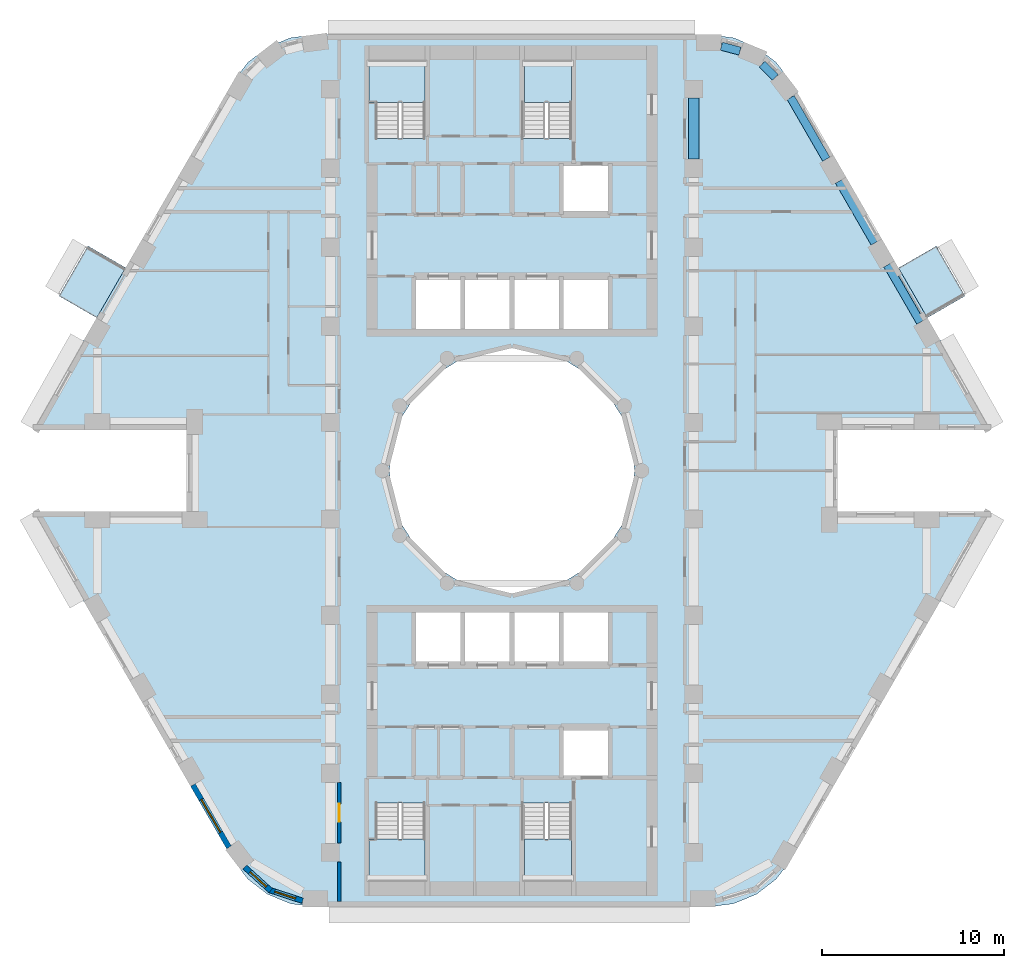
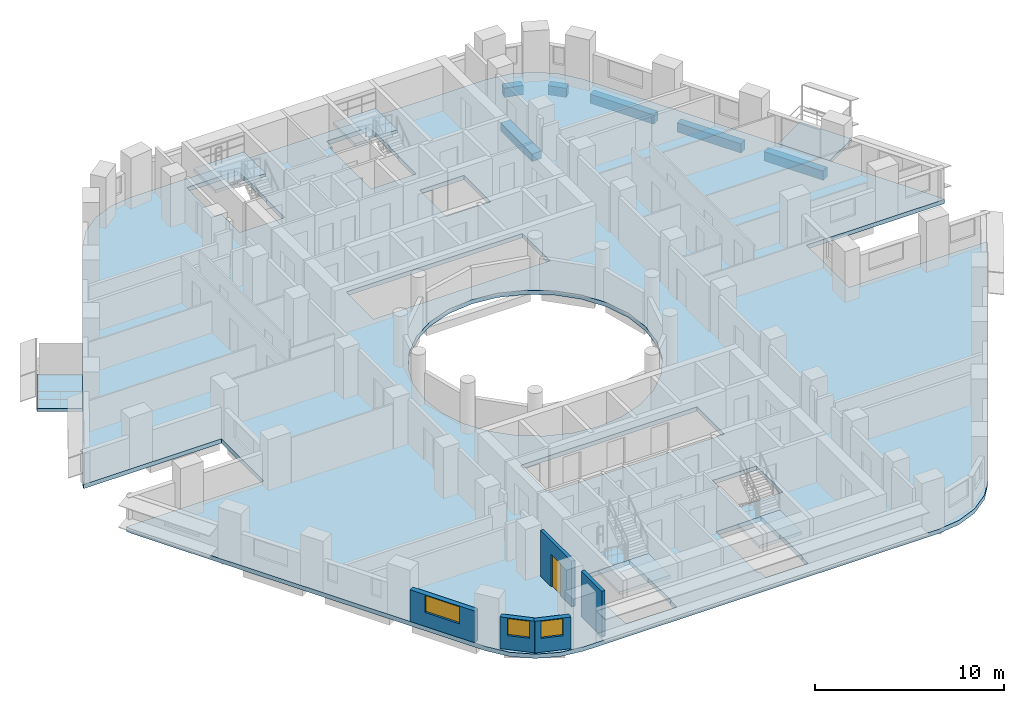
# One storey, part 2 of 14: 7 slabs, 6 beams, 5 walls, 3 windows, 1 door, 4 openings, 4 elements without a shape of their own.
"""IFC4 building model written with IfcOpenShell, lengths in metres."""

from ifc_helpers import new_model, si_unit, direction, frame, frame_2d, origin, origin_2d, place, context, subcontext, project, spatial, polyline, rectangle, outline, extrude, material, layer, layer_set, material_profile, profile_set, type_object, element, fill, aggregate, save


model = new_model("IFC4")

# Units and contexts
model_context = context("Model", 3, precision=1e-05, world=origin(), true_north=direction((0.0, 1.0)))
body_context = subcontext(model_context, "Body", "Model", "MODEL_VIEW")
ifc_project = project(units=[si_unit("LENGTHUNIT", "METRE"), si_unit("AREAUNIT", "SQUARE_METRE"), si_unit("VOLUMEUNIT", "CUBIC_METRE"), si_unit("PLANEANGLEUNIT", "RADIAN"), si_unit("MASSUNIT", "GRAM", prefix="KILO")], contexts=[model_context])

# Site, building, storey
site_placement = place(None, origin())
site = spatial("IfcSite", under=ifc_project, at=site_placement, CompositionType="ELEMENT")
building_placement = place(site_placement, origin())
building = spatial("IfcBuilding", under=site, at=building_placement, Name="Nakaniwa Court", CompositionType="ELEMENT")
storey_placement = place(building_placement, frame((0.0, 0.0, 117.300048828125)))
storey = spatial("IfcBuildingStorey", under=building, at=storey_placement, Name="L31", CompositionType="ELEMENT", Elevation=117.300048828125)

# Beams
ifc_material_1 = material(Name="Concrete C80/100", Category="concrete")
ifc_material_profile_1 = material_profile(ifc_material_1, rectangle(XDim=0.449951171875, YDim=0.60009765625, at=origin_2d()), Name="Concrete C80/100 RC 450x600 spandrel beam")
ifc_profile_set_1 = profile_set([ifc_material_profile_1], Name="Concrete C80/100")
beam_type_1 = type_object("IfcBeamType", Name="Concrete C80/100 RC 450x600 spandrel beam", PredefinedType="BEAM", material=ifc_profile_set_1)
beam_1_placement = place(storey_placement, frame((102.472900390625, 88.17578125, -0.574951171875), z_axis=(-0.499988394233, 0.866032104273, 0.0), x_axis=(-0.866032104273, -0.499988394233, 0.0)))
element("IfcBeam", 1, at=beam_1_placement, inside=storey, type_object=beam_type_1, Name="SPANDREL BEAM", PredefinedType="BEAM", context=body_context, shape_type="SweptSolid", body=[
    extrude(rectangle(XDim=0.449951171875, YDim=0.60009765625, at=origin_2d()), origin(), (0.0, 0.0, 1.0), 3.62890625),
])
beam_2_placement = place(storey_placement, frame((99.95849609375, 92.531005859375, -0.574951171875), z_axis=(-0.49999161165, 0.866030246746, 0.0), x_axis=(-0.866030246746, -0.49999161165, 0.0)))
element("IfcBeam", 2, at=beam_2_placement, inside=storey, type_object=beam_type_1, Name="SPANDREL BEAM", PredefinedType="BEAM", context=body_context, shape_type="SweptSolid", body=[
    extrude(rectangle(XDim=0.449951171875, YDim=0.60009765625, at=origin_2d()), origin(), (0.0, 0.0, 1.0), 3.92578125),
])
beam_3_placement = place(storey_placement, frame((97.29541015625, 97.143310546875, -0.574951171875), z_axis=(-0.499997407846, 0.86602690036, 0.0), x_axis=(-0.86602690036, -0.499997407846, 0.0)))
element("IfcBeam", 3, at=beam_3_placement, inside=storey, type_object=beam_type_1, Name="SPANDREL BEAM", PredefinedType="BEAM", context=body_context, shape_type="SweptSolid", body=[
    extrude(rectangle(XDim=0.449951171875, YDim=0.60009765625, at=origin_2d()), origin(), (0.0, 0.0, 1.0), 3.919921875),
])
beam_4_placement = place(storey_placement, frame((94.484130859375, 101.6494140625, -0.574951171875), z_axis=(-0.705911336947, 0.7083002078, 0.0), x_axis=(-0.7083002078, -0.705911336947, 0.0)))
element("IfcBeam", 4, at=beam_4_placement, inside=storey, type_object=beam_type_1, Name="SPANDREL BEAM", PredefinedType="BEAM", context=body_context, shape_type="SweptSolid", body=[
    extrude(rectangle(XDim=0.449951171875, YDim=0.60009765625, at=origin_2d()), origin(), (0.0, 0.0, 1.0), 1.02197265625),
])
beam_5_placement = place(storey_placement, frame((92.544921875, 103.091796875, -0.574951171875), z_axis=(-0.966315487466, 0.257360406209, 0.0), x_axis=(-0.257360406209, -0.966315487466, 0.0)))
element("IfcBeam", 5, at=beam_5_placement, inside=storey, type_object=beam_type_1, Name="SPANDREL BEAM", PredefinedType="BEAM", context=body_context, shape_type="SweptSolid", body=[
    extrude(rectangle(XDim=0.449951171875, YDim=0.60009765625, at=origin_2d()), origin(), (0.0, 0.0, 1.0), 1.055908203125),
])
ifc_material_profile_2 = material_profile(ifc_material_1, rectangle(XDim=0.60009765625, YDim=0.5, at=origin_2d()), Name="Concrete C80/100 RC 600x500 ring beam")
ifc_profile_set_2 = profile_set([ifc_material_profile_2], Name="Concrete C80/100")
beam_type_2 = type_object("IfcBeamType", Name="Concrete C80/100 RC 600x500 ring beam", PredefinedType="BEAM", material=ifc_profile_set_2)
beam_6_placement = place(storey_placement, frame((90.0, 97.14990234375, -0.525146484375), z_axis=(0.0, 1.0, 0.0), x_axis=(-1.0, 0.0, 0.0)))
element("IfcBeam", 6, at=beam_6_placement, inside=storey, type_object=beam_type_2, Name="RING BEAM", PredefinedType="BEAM", context=body_context, shape_type="SweptSolid", body=[
    extrude(rectangle(XDim=0.60009765625, YDim=0.5, at=origin_2d()), origin(), (0.0, 0.0, 1.0), 3.35009765625),
])

# Slabs
ifc_material_2 = material(Name="Charcoal ceramic paver")
ifc_layer_1 = layer(ifc_material_2, 0.02, Name="Ceramic paver")
ifc_material_3 = material(Name="Cement sand screed")
ifc_layer_2 = layer(ifc_material_3, 0.03, Name="Falls screed")
ifc_material_4 = material(Name="Concrete C40/50", Category="concrete")
ifc_layer_3 = layer(ifc_material_4, 0.15, Name="Balcony slab")
ifc_layer_set_1 = layer_set([ifc_layer_1, ifc_layer_2, ifc_layer_3], Name="Concrete C40/50 balcony slab with ceramic paver finish")
slab_type_1 = type_object("IfcSlabType", Name="Balcony slab 200", PredefinedType="FLOOR", material=ifc_layer_set_1)
slab_1_placement = place(storey_placement, frame((0.0, 0.0, -0.25)))
element("IfcSlab", 7, at=slab_1_placement, inside=storey, type_object=slab_type_1, Name="L31 balcony 01", PredefinedType="FLOOR", context=body_context, shape_type="SweptSolid", body=[
    extrude(outline(polyline([(58.73779296875, 91.1728515625), (57.1474609375, 88.418212890625), (55.069091796875, 89.6181640625), (56.659423828125, 92.372802734375), (58.73779296875, 91.1728515625)])), origin(), (0.0, 0.0, 1.0), 0.199951171875),
])
slab_2_placement = place(storey_placement, frame((0.0, 0.0, -0.25)))
element("IfcSlab", 8, at=slab_2_placement, inside=storey, type_object=slab_type_1, Name="L31 balcony 02", PredefinedType="FLOOR", context=body_context, shape_type="SweptSolid", body=[
    extrude(outline(polyline([(102.8525390625, 88.418212890625), (101.26953125, 91.159912109375), (103.347900390625, 92.360107421875), (104.930908203125, 89.6181640625), (102.8525390625, 88.418212890625)])), origin(), (0.0, 0.0, 1.0), 0.199951171875),
])
ifc_layer_4 = layer(ifc_material_1, 0.27490234375)
ifc_layer_set_2 = layer_set([ifc_layer_4], Name="Concrete C80/100")
slab_type_2 = type_object("IfcSlabType", Name="Concrete C80/100 post tensioned floor slab 275", PredefinedType="FLOOR", material=ifc_layer_set_2)
slab_3_placement = place(storey_placement, frame((0.0, 0.0, -0.275146484375)))
element("IfcSlab", 9, at=slab_3_placement, inside=storey, type_object=slab_type_2, Name="FLOOR SLAB", PredefinedType="FLOOR", context=body_context, shape_type="SweptSolid", body=[
    extrude(outline(polyline([(97.908447265625, 82.25), (106.356689453125, 82.25), (106.211669921875, 82.60009765625), (95.357421875, 101.39990234375), (94.531005859375, 102.47705078125), (93.4541015625, 103.30322265625), (92.199951171875, 103.82275390625), (90.854248046875, 104.0), (69.145751953125, 104.0), (67.800048828125, 103.82275390625), (66.5458984375, 103.30322265625), (65.468994140625, 102.47705078125), (64.642578125, 101.39990234375), (53.788330078125, 82.60009765625), (53.643310546875, 82.25), (62.091552734375, 82.25), (62.091552734375, 77.75), (53.643310546875, 77.75), (53.788330078125, 77.39990234375), (64.642578125, 58.60009765625), (65.468994140625, 57.52294921875), (66.5458984375, 56.69677734375), (67.800048828125, 56.17724609375), (69.145751953125, 56.0), (90.854248046875, 56.0), (92.199951171875, 56.17724609375), (93.4541015625, 56.69677734375), (94.531005859375, 57.52294921875), (95.357421875, 58.60009765625), (106.211669921875, 77.39990234375), (106.356689453125, 77.75), (97.908447265625, 77.75), (97.908447265625, 82.25)]), holes=[polyline([(81.501953125, 86.580810546875), (80.0, 86.75), (78.498046875, 86.580810546875), (77.0712890625, 86.08154296875), (75.79150390625, 85.27734375), (74.72265625, 84.20849609375), (73.91845703125, 82.9287109375), (73.419189453125, 81.501953125), (73.25, 80.0), (73.419189453125, 78.498046875), (73.91845703125, 77.0712890625), (74.72265625, 75.79150390625), (75.79150390625, 74.72265625), (77.0712890625, 73.91845703125), (78.498046875, 73.419189453125), (80.0, 73.25), (81.501953125, 73.419189453125), (82.9287109375, 73.91845703125), (84.20849609375, 74.72265625), (85.27734375, 75.79150390625), (86.08154296875, 77.0712890625), (86.580810546875, 78.498046875), (86.75, 80.0), (86.580810546875, 81.501953125), (86.08154296875, 82.9287109375), (85.27734375, 84.20849609375), (84.20849609375, 85.27734375), (82.9287109375, 86.08154296875), (81.501953125, 86.580810546875)]), polyline([(75.264892578125, 57.360107421875), (75.264892578125, 59.764892578125), (75.22509765625, 59.764892578125), (75.22509765625, 61.7099609375), (72.47509765625, 61.7099609375), (72.47509765625, 59.764892578125), (72.0849609375, 59.764892578125), (72.0849609375, 57.360107421875), (72.125, 57.360107421875), (72.125, 56.72509765625), (75.22509765625, 56.72509765625), (75.22509765625, 57.324951171875), (75.22509765625, 57.360107421875), (75.264892578125, 57.360107421875)]), polyline([(80.0, 69.300048828125), (82.699951171875, 69.300048828125), (85.39990234375, 69.300048828125), (85.39990234375, 72.199951171875), (82.699951171875, 72.199951171875), (80.0, 72.199951171875), (77.300048828125, 72.199951171875), (74.60009765625, 72.199951171875), (74.60009765625, 69.300048828125), (77.300048828125, 69.300048828125), (80.0, 69.300048828125)]), polyline([(80.0, 87.800048828125), (82.699951171875, 87.800048828125), (85.39990234375, 87.800048828125), (85.39990234375, 90.699951171875), (82.699951171875, 90.699951171875), (80.0, 90.699951171875), (77.300048828125, 90.699951171875), (74.60009765625, 90.699951171875), (74.60009765625, 87.800048828125), (77.300048828125, 87.800048828125), (80.0, 87.800048828125)]), polyline([(75.264892578125, 100.235107421875), (75.264892578125, 102.639892578125), (75.22509765625, 102.639892578125), (75.22509765625, 102.675048828125), (75.22509765625, 103.27490234375), (72.125, 103.27490234375), (72.125, 102.639892578125), (72.0849609375, 102.639892578125), (72.0849609375, 100.235107421875), (72.47509765625, 100.235107421875), (72.47509765625, 98.2900390625), (75.22509765625, 98.2900390625), (75.22509765625, 100.235107421875), (75.264892578125, 100.235107421875)]), polyline([(83.27490234375, 61.7099609375), (80.52490234375, 61.7099609375), (80.52490234375, 57.324951171875), (80.675048828125, 57.324951171875), (80.675048828125, 56.72509765625), (83.27490234375, 56.72509765625), (83.27490234375, 57.324951171875), (83.27490234375, 57.360107421875), (83.31494140625, 57.360107421875), (83.31494140625, 59.764892578125), (83.27490234375, 59.764892578125), (83.27490234375, 61.7099609375)]), polyline([(85.39990234375, 65.89990234375), (82.699951171875, 65.89990234375), (82.699951171875, 63.10009765625), (85.39990234375, 63.10009765625), (85.39990234375, 65.89990234375)]), polyline([(85.39990234375, 96.89990234375), (82.699951171875, 96.89990234375), (82.699951171875, 94.10009765625), (85.39990234375, 94.10009765625), (85.39990234375, 96.89990234375)]), polyline([(83.27490234375, 100.235107421875), (83.31494140625, 100.235107421875), (83.31494140625, 102.639892578125), (83.27490234375, 102.639892578125), (83.27490234375, 102.675048828125), (83.27490234375, 103.27490234375), (80.675048828125, 103.27490234375), (80.675048828125, 102.675048828125), (80.52490234375, 102.675048828125), (80.52490234375, 98.2900390625), (83.27490234375, 98.2900390625), (83.27490234375, 100.235107421875)])]), origin(), (0.0, 0.0, 1.0), 0.275146484375),
])

# Stair, slab
stair_type = type_object("IfcStairType", Name="Dog leg stair 1300 wide 18 risers", PredefinedType="HALF_TURN_STAIR", material=ifc_material_1)
stair_1_placement = place(storey_placement, origin())
stair_1 = element("IfcStair", 10, at=stair_1_placement, inside=storey, type_object=stair_type, Name="L31 Stair ST1", PredefinedType="HALF_TURN_STAIR")
ifc_layer_5 = layer(ifc_material_1, 0.199951171875)
ifc_layer_set_3 = layer_set([ifc_layer_5], Name="Concrete C80/100")
slab_type_3 = type_object("IfcSlabType", Name="Stair landing concrete", PredefinedType="LANDING", material=ifc_layer_set_3)
slab_4_placement = place(storey_placement, frame((0.0, 0.0, 1.449951171875)))
slab_4 = element("IfcSlab", 11, at=slab_4_placement, type_object=slab_type_3, Name="ST1 landing 1", PredefinedType="LANDING", context=body_context, shape_type="SweptSolid", body=[
    extrude(outline(polyline([(75.22509765625, 100.27490234375), (75.22509765625, 102.60009765625), (72.125, 102.60009765625), (72.125, 100.27490234375), (75.22509765625, 100.27490234375)])), origin(), (0.0, 0.0, 1.0), 0.199951171875),
])
aggregate(stair_1, [slab_4])

stair_2_placement = place(storey_placement, origin())
stair_2 = element("IfcStair", 12, at=stair_2_placement, inside=storey, type_object=stair_type, Name="L31 Stair ST2", PredefinedType="HALF_TURN_STAIR")
slab_5_placement = place(storey_placement, frame((0.0, 0.0, 1.449951171875)))
slab_5 = element("IfcSlab", 13, at=slab_5_placement, type_object=slab_type_3, Name="ST2 landing 1", PredefinedType="LANDING", context=body_context, shape_type="SweptSolid", body=[
    extrude(outline(polyline([(83.27490234375, 100.27490234375), (83.27490234375, 102.60009765625), (80.675048828125, 102.60009765625), (80.675048828125, 100.27490234375), (83.27490234375, 100.27490234375)])), origin(), (0.0, 0.0, 1.0), 0.199951171875),
])
aggregate(stair_2, [slab_5])

stair_3_placement = place(storey_placement, origin())
stair_3 = element("IfcStair", 14, at=stair_3_placement, inside=storey, type_object=stair_type, Name="L31 Stair ST3", PredefinedType="HALF_TURN_STAIR")
slab_6_placement = place(storey_placement, frame((0.0, 0.0, 1.449951171875)))
slab_6 = element("IfcSlab", 15, at=slab_6_placement, type_object=slab_type_3, Name="ST3 landing 1", PredefinedType="LANDING", context=body_context, shape_type="SweptSolid", body=[
    extrude(outline(polyline([(75.22509765625, 57.39990234375), (75.22509765625, 59.72509765625), (72.125, 59.72509765625), (72.125, 57.39990234375), (75.22509765625, 57.39990234375)])), origin(), (0.0, 0.0, 1.0), 0.199951171875),
])
aggregate(stair_3, [slab_6])

stair_4_placement = place(storey_placement, origin())
stair_4 = element("IfcStair", 16, at=stair_4_placement, inside=storey, type_object=stair_type, Name="L31 Stair ST4", PredefinedType="HALF_TURN_STAIR")
slab_7_placement = place(storey_placement, frame((0.0, 0.0, 1.449951171875)))
slab_7 = element("IfcSlab", 17, at=slab_7_placement, type_object=slab_type_3, Name="ST4 landing 1", PredefinedType="LANDING", context=body_context, shape_type="SweptSolid", body=[
    extrude(outline(polyline([(83.27490234375, 57.39990234375), (83.27490234375, 59.72509765625), (80.675048828125, 59.72509765625), (80.675048828125, 57.39990234375), (83.27490234375, 57.39990234375)])), origin(), (0.0, 0.0, 1.0), 0.199951171875),
])
aggregate(stair_4, [slab_7])

# Wall
ifc_material_5 = material(Name="Acoustic double stud partition")
ifc_layer_6 = layer(ifc_material_5, 0.199951171875)
ifc_layer_set_4 = layer_set([ifc_layer_6], Name="Acoustic double stud partition")
wall_type_1 = type_object("IfcWallType", Name="Acoustic double stud partition 200", PredefinedType="PARTITIONING", material=ifc_layer_set_4)
wall_1_placement = place(storey_placement, frame((70.5, 56.300048828125, 0.0), z_axis=(0.0, 0.0, 1.0), x_axis=(0.0, 1.0, 0.0)))
element("IfcWall", 18, at=wall_1_placement, inside=storey, type_object=wall_type_1, Name="Partition PW-098", PredefinedType="PARTITIONING", context=body_context, shape_type="SweptSolid", body=[
    extrude(rectangle(XDim=2.182861328125, YDim=0.199951171875, at=frame_2d((1.09130859375, 0.0))), origin(), (0.0, 0.0, 1.0), 2.949951171875),
])

# Wall, opening, door
wall_2_placement = place(storey_placement, frame((70.5, 59.51708984375, 0.0), z_axis=(0.0, 0.0, 1.0), x_axis=(0.0, 1.0, 0.0)))
wall_2 = element("IfcWall", 19, at=wall_2_placement, inside=storey, type_object=wall_type_1, Name="Partition PW-099", PredefinedType="PARTITIONING", context=body_context, shape_type="SweptSolid", body=[
    extrude(rectangle(XDim=3.31591796875, YDim=0.199951171875, at=frame_2d((1.657958984375, 0.0))), origin(), (0.0, 0.0, 1.0), 2.949951171875),
])
opening_1_placement = place(wall_2_placement, frame((1.157958984375, 0.0, 0.0)))
opening_1 = element("IfcOpeningElement", 20, at=opening_1_placement, cuts=wall_2, Name="Opening D-02-04", PredefinedType="OPENING", context=body_context, shape_type="SweptSolid", body=[
    extrude(rectangle(XDim=1.0, YDim=2.10009765625, at=frame_2d((0.5, 1.050048828125))), frame((0.0, 0.10986328125, 0.0), z_axis=(0.0, -1.0, 0.0), x_axis=(1.0, 0.0, 0.0)), (0.0, 0.0, 1.0), 0.219970703125),
])
ifc_material_6 = material(Name="Solid core timber door set, black veneer", Category="wood")
door_type = type_object("IfcDoorType", Name="Internal door 1000", OperationType="NOTDEFINED", PredefinedType="DOOR", material=ifc_material_6)
door_placement = place(opening_1_placement, origin())
door = element("IfcDoor", 21, at=door_placement, inside=storey, type_object=door_type, Name="Door D-02-04 L31-036", OperationType="SINGLE_SWING_LEFT", OverallHeight=2.10009765625, OverallWidth=1.0, PredefinedType="DOOR", context=body_context, shape_type="SweptSolid", body=[
    extrude(rectangle(XDim=1.0, YDim=2.10009765625, at=frame_2d((0.5, 1.050048828125))), frame((0.0, 0.02490234375, 0.0), z_axis=(0.0, -1.0, 0.0), x_axis=(1.0, 0.0, 0.0)), (0.0, 0.0, 1.0), 0.050048828125),
])
fill(opening_1, door)

# Wall, opening, window
ifc_material_7 = material(Name="Charcoal ceramic cladding")
ifc_layer_7 = layer(ifc_material_7, 0.02, Name="Ceramic cladding")
ifc_material_8 = material(Name="Ventilated air cavity")
ifc_layer_8 = layer(ifc_material_8, 0.04, ventilated=True, Name="Ventilated cavity")
ifc_material_9 = material(Name="Mineral wool insulation")
ifc_layer_9 = layer(ifc_material_9, 0.1, Name="Insulation")
ifc_material_10 = material(Name="Cement bonded sheathing board")
ifc_layer_10 = layer(ifc_material_10, 0.012, Name="Sheathing")
ifc_material_11 = material(Name="Cold-formed galvanised stud frame with mineral wool infill")
ifc_layer_11 = layer(ifc_material_11, 0.1, Name="Stud frame")
ifc_material_12 = material(Name="Fire-rated gypsum plasterboard lining")
ifc_layer_12 = layer(ifc_material_12, 0.028, Name="Lining")
ifc_layer_set_5 = layer_set([ifc_layer_7, ifc_layer_8, ifc_layer_9, ifc_layer_10, ifc_layer_11, ifc_layer_12], Name="Charcoal ceramic faced external wall system")
wall_type_2 = type_object("IfcWallType", Name="Black ceramic faced external wall 300", PredefinedType="SOLIDWALL", material=ifc_layer_set_5)
wall_3_placement = place(storey_placement, frame((62.442626953125, 62.710205078125, 0.0), z_axis=(0.0, 0.0, 1.0), x_axis=(0.500043828347, -0.866000097998, 0.0)))
wall_3 = element("IfcWall", 22, at=wall_3_placement, inside=storey, type_object=wall_type_2, Name="L31 external wall 23", PredefinedType="SOLIDWALL", context=body_context, shape_type="SweptSolid", body=[
    extrude(rectangle(XDim=3.967529296875, YDim=0.300048828125, at=frame_2d((1.98388671875, 0.0))), origin(), (0.0, 0.0, 1.0), 2.050048828125),
])
opening_2_placement = place(wall_3_placement, frame((0.92236328125, 0.0, 0.89990234375)))
opening_2 = element("IfcOpeningElement", 23, at=opening_2_placement, cuts=wall_3, Name="Opening W7.18", PredefinedType="OPENING", context=body_context, shape_type="SweptSolid", body=[
    extrude(rectangle(XDim=2.10009765625, YDim=1.10009765625, at=frame_2d((1.050048828125, 0.550048828125))), frame((0.0, 0.159912109375, 0.0), z_axis=(0.0, -1.0, 0.0), x_axis=(1.0, 0.0, 0.0)), (0.0, 0.0, 1.0), 0.320068359375),
])
ifc_material_13 = material(Name="Black anodised aluminium frame with dark low-E laminated double glazing", Category="aluminium")
window_type_1 = type_object("IfcWindowType", Name="Dark glass window 2100x1100 sill 900", PartitioningType="SINGLE_PANEL", PredefinedType="WINDOW", material=ifc_material_13)
window_1_placement = place(opening_2_placement, origin())
window_1 = element("IfcWindow", 24, at=window_1_placement, inside=storey, type_object=window_type_1, Name="L31 habitable room window 23-0", OverallHeight=1.10009765625, OverallWidth=2.10009765625, PartitioningType="SINGLE_PANEL", PredefinedType="WINDOW", context=body_context, shape_type="SweptSolid", body=[
    extrude(rectangle(XDim=2.10009765625, YDim=1.10009765625, at=frame_2d((1.050048828125, 0.550048828125))), frame((0.0, 0.030029296875, 0.0), z_axis=(0.0, -1.0, 0.0), x_axis=(1.0, 0.0, 0.0)), (0.0, 0.0, 1.0), 0.06005859375),
])
fill(opening_2, window_1)

wall_4_placement = place(storey_placement, frame((65.294921875, 58.18603515625, 0.0), z_axis=(0.0, 0.0, 1.0), x_axis=(0.740421367382, -0.672142989791, 0.0)))
wall_4 = element("IfcWall", 25, at=wall_4_placement, inside=storey, type_object=wall_type_2, Name="L31 external wall 24", PredefinedType="SOLIDWALL", context=body_context, shape_type="SweptSolid", body=[
    extrude(rectangle(XDim=1.92724609375, YDim=0.300048828125, at=frame_2d((0.963623046875, 0.0))), origin(), (0.0, 0.0, 1.0), 2.050048828125),
])
opening_3_placement = place(wall_4_placement, frame((0.39111328125, 0.0, 0.89990234375)))
opening_3 = element("IfcOpeningElement", 26, at=opening_3_placement, cuts=wall_4, Name="Opening W6.19", PredefinedType="OPENING", context=body_context, shape_type="SweptSolid", body=[
    extrude(rectangle(XDim=1.199951171875, YDim=1.10009765625, at=frame_2d((0.60009765625, 0.550048828125))), frame((0.0, 0.159912109375, 0.0), z_axis=(0.0, -1.0, 0.0), x_axis=(1.0, 0.0, 0.0)), (0.0, 0.0, 1.0), 0.320068359375),
])
window_type_2 = type_object("IfcWindowType", Name="Dark glass window 1200x1100 sill 900", PartitioningType="SINGLE_PANEL", PredefinedType="WINDOW", material=ifc_material_13)
window_2_placement = place(opening_3_placement, origin())
window_2 = element("IfcWindow", 27, at=window_2_placement, inside=storey, type_object=window_type_2, Name="L31 habitable room window 24-0", OverallHeight=1.10009765625, OverallWidth=1.199951171875, PartitioningType="SINGLE_PANEL", PredefinedType="WINDOW", context=body_context, shape_type="SweptSolid", body=[
    extrude(rectangle(XDim=1.199951171875, YDim=1.10009765625, at=frame_2d((0.60009765625, 0.550048828125))), frame((0.0, 0.030029296875, 0.0), z_axis=(0.0, -1.0, 0.0), x_axis=(1.0, 0.0, 0.0)), (0.0, 0.0, 1.0), 0.06005859375),
])
fill(opening_3, window_2)

wall_5_placement = place(storey_placement, frame((66.625, 56.939453125, 0.0), z_axis=(0.0, 0.0, 1.0), x_axis=(0.950777961763, -0.309872985958, 0.0)))
wall_5 = element("IfcWall", 28, at=wall_5_placement, inside=storey, type_object=wall_type_2, Name="L31 external wall 25", PredefinedType="SOLIDWALL", context=body_context, shape_type="SweptSolid", body=[
    extrude(rectangle(XDim=1.949951171875, YDim=0.300048828125, at=frame_2d((0.97509765625, 0.0))), origin(), (0.0, 0.0, 1.0), 2.050048828125),
])
opening_4_placement = place(wall_5_placement, frame((0.334716796875, 0.0, 0.89990234375)))
opening_4 = element("IfcOpeningElement", 29, at=opening_4_placement, cuts=wall_5, Name="Opening W6.20", PredefinedType="OPENING", context=body_context, shape_type="SweptSolid", body=[
    extrude(rectangle(XDim=1.199951171875, YDim=1.10009765625, at=frame_2d((0.60009765625, 0.550048828125))), frame((0.0, 0.159912109375, 0.0), z_axis=(0.0, -1.0, 0.0), x_axis=(1.0, 0.0, 0.0)), (0.0, 0.0, 1.0), 0.320068359375),
])
window_3_placement = place(opening_4_placement, origin())
window_3 = element("IfcWindow", 30, at=window_3_placement, inside=storey, type_object=window_type_2, Name="L31 habitable room window 25-0", OverallHeight=1.10009765625, OverallWidth=1.199951171875, PartitioningType="SINGLE_PANEL", PredefinedType="WINDOW", context=body_context, shape_type="SweptSolid", body=[
    extrude(rectangle(XDim=1.199951171875, YDim=1.10009765625, at=frame_2d((0.60009765625, 0.550048828125))), frame((0.0, 0.030029296875, 0.0), z_axis=(0.0, -1.0, 0.0), x_axis=(1.0, 0.0, 0.0)), (0.0, 0.0, 1.0), 0.06005859375),
])
fill(opening_4, window_3)

save(model, "model.ifc")
